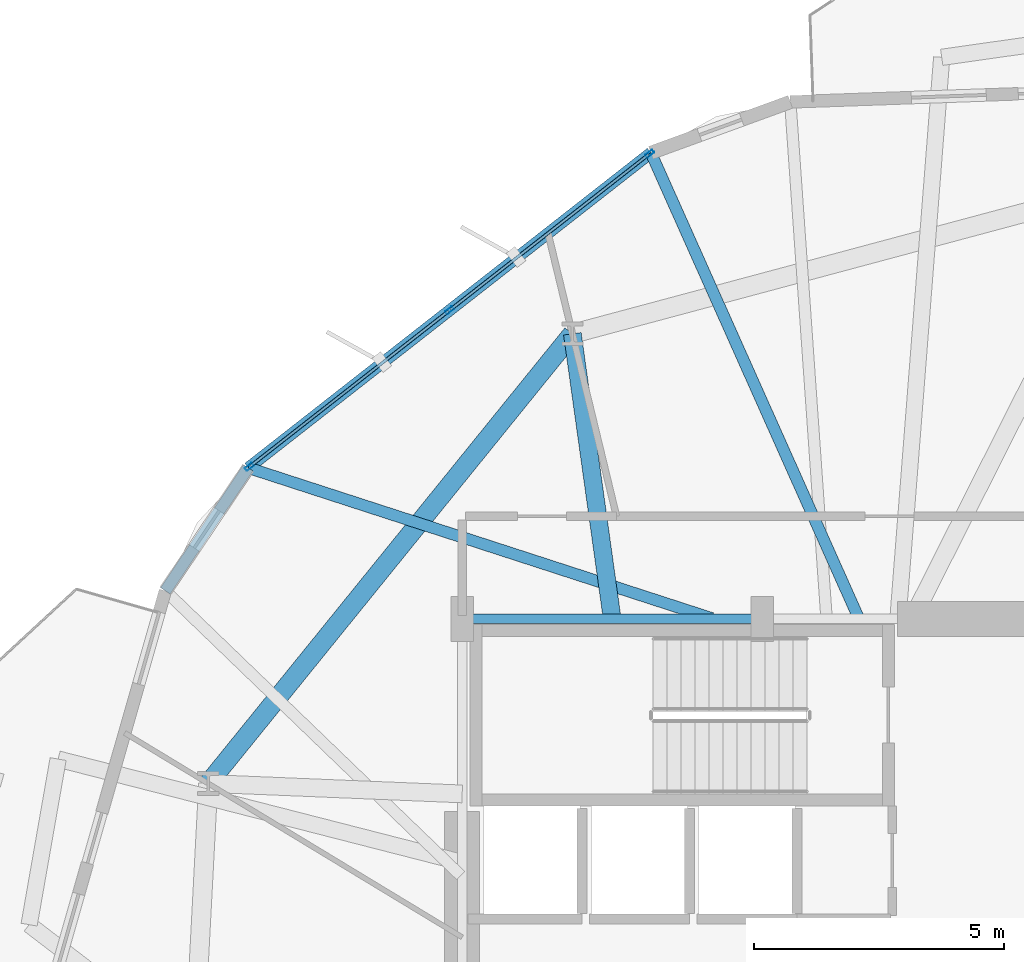
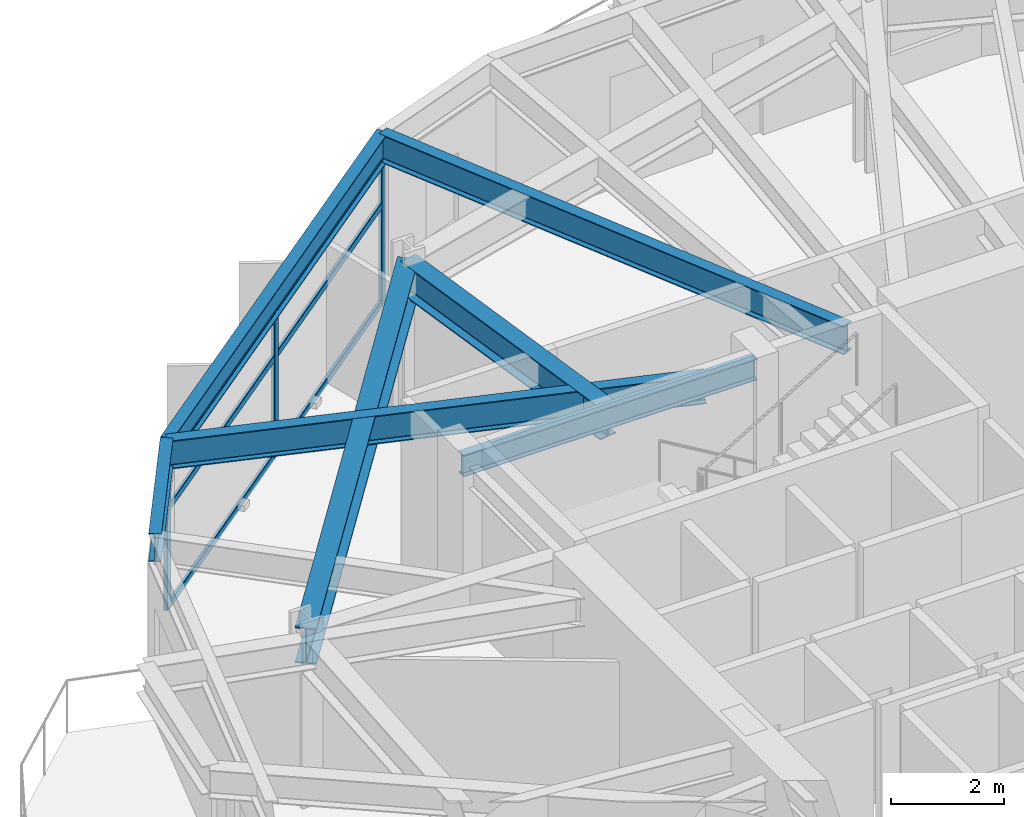
# One storey, part 12 of 21: 9 members, 7 beams, 1 element without a shape of its own.
"""IFC4 building model written with IfcOpenShell, lengths in metres."""

import ifcopenshell
import ifcopenshell.guid

model = None  # the IFC model being written
_history = None  # IfcOwnerHistory: only IFC2X3 demands one
_inside = {}  # id of a spatial element -> (the spatial element, [elements in it])
_under = {}  # id of a project, library or spatial element -> (it, [spatial elements below it])
_declared = {}  # id of a project -> (the project, [libraries it declares])
_typed = {}  # id of a type object -> (the type object, [elements of that type])
_made_of = {}  # id of a material, layer set ... -> (it, [elements and type objects made of it])


def new_model(schema):
    """Start an empty IFC model of exactly this schema.

    Asked for "IFC4X3", IfcOpenShell would pick the latest addendum, in which some entities
    have other attributes; the version numbers below select the first issue.
    IFC2X3 requires an IfcOwnerHistory on every rooted entity: one is made here for all.
    """
    global model, _history
    if schema == "IFC4X3":
        model = ifcopenshell.file(schema_version=(4, 3, 0, 0))
    else:
        model = ifcopenshell.file(schema=schema)
    _inside.clear()
    _under.clear()
    _declared.clear()
    _typed.clear()
    _made_of.clear()
    _history = None
    if model.schema == "IFC2X3":
        org = make("IfcOrganization", Name="unknown")
        user = make(
            "IfcPersonAndOrganization",
            ThePerson=make("IfcPerson", FamilyName="unknown"),
            TheOrganization=org,
        )
        app = make(
            "IfcApplication",
            ApplicationDeveloper=org,
            Version="unknown",
            ApplicationFullName="unknown",
            ApplicationIdentifier="unknown",
        )
        _history = make(
            "IfcOwnerHistory",
            OwningUser=user,
            OwningApplication=app,
            ChangeAction="ADDED",
            CreationDate=0,
        )
    return model


def make(cls, **values):
    """One entity of the class cls with the attributes given. An attribute that is None is left unset."""
    return model.create_entity(
        cls, **{name: value for name, value in values.items() if value is not None}
    )


def rooted(cls, **values):
    """An entity with a GlobalId (a new one), such as an element, a storey or a relation."""
    return make(cls, GlobalId=ifcopenshell.guid.new(), OwnerHistory=_history, **values)


def si_unit(unit_type, name, prefix=None):
    """IfcSIUnit, for example si_unit("LENGTHUNIT", "METRE", prefix="MILLI")."""
    return make("IfcSIUnit", UnitType=unit_type, Prefix=prefix, Name=name)


def assignment(units):
    """IfcUnitAssignment: the units of a project."""
    return None if units is None else make("IfcUnitAssignment", Units=units)


def point(xyz):
    """IfcCartesianPoint."""
    return None if xyz is None else make("IfcCartesianPoint", Coordinates=xyz)


def direction(xyz):
    """IfcDirection."""
    return None if xyz is None else make("IfcDirection", DirectionRatios=xyz)


def frame(location, z_axis=None, x_axis=None):
    """IfcAxis2Placement3D, a coordinate frame: its origin and axes. An axis left out is left unset."""
    return make(
        "IfcAxis2Placement3D",
        Location=point(location),
        Axis=direction(z_axis),
        RefDirection=direction(x_axis),
    )


def frame_2d(location, x_axis=None):
    """IfcAxis2Placement2D, a coordinate frame in the plane: its origin and x axis."""
    return make(
        "IfcAxis2Placement2D", Location=point(location), RefDirection=direction(x_axis)
    )


def origin():
    """The frame at (0, 0, 0) with its axes left unset."""
    return frame((0.0, 0.0, 0.0))


def origin_2d():
    """The frame at (0, 0) in the plane with its x axis left unset."""
    return frame_2d((0.0, 0.0))


def place(relative_to, where):
    """IfcLocalPlacement: puts the frame where relative to a parent placement (None: the world)."""
    return make(
        "IfcLocalPlacement", PlacementRelTo=relative_to, RelativePlacement=where
    )


def context(
    kind, dimensions, precision=None, world=None, true_north=None, identifier=None
):
    """IfcGeometricRepresentationContext, for example the 3D "Model" context."""
    return make(
        "IfcGeometricRepresentationContext",
        ContextIdentifier=identifier,
        ContextType=kind,
        CoordinateSpaceDimension=dimensions,
        Precision=precision,
        WorldCoordinateSystem=world,
        TrueNorth=true_north,
    )


def subcontext(parent, identifier, kind, view, scale=None):
    """IfcGeometricRepresentationSubContext, for example "Body" below "Model"."""
    return make(
        "IfcGeometricRepresentationSubContext",
        ContextIdentifier=identifier,
        ContextType=kind,
        ParentContext=parent,
        TargetScale=scale,
        TargetView=view,
    )


def project(units=None, contexts=None):
    """IfcProject with its units and contexts."""
    return rooted(
        "IfcProject",
        Name="project",
        RepresentationContexts=contexts,
        UnitsInContext=assignment(units),
    )


def spatial(cls, under=None, at=None, **own):
    """A site, building, storey or space (cls), placed at a placement, below another one or the project."""
    s = rooted(cls, ObjectPlacement=at, **own)
    if under is not None:
        _under.setdefault(under.id(), (under, []))[1].append(s)
    return s


def profile(cls, at=None, kind="AREA", **sizes):
    """A parametric profile (cls). Its sizes go by their IFC names, for example OverallWidth=200.0."""
    return make(cls, ProfileType=kind, Position=at, **sizes)


def hollow_rectangle(**sizes):
    """IfcRectangleHollowProfileDef."""
    return profile("IfcRectangleHollowProfileDef", **sizes)


def i_section(**sizes):
    """IfcIShapeProfileDef."""
    return profile("IfcIShapeProfileDef", **sizes)


def extrude(swept, where, along, depth):
    """IfcExtrudedAreaSolid: the profile swept, set in the frame where, extruded along a direction by depth."""
    return make(
        "IfcExtrudedAreaSolid",
        SweptArea=swept,
        Position=where,
        ExtrudedDirection=direction(along),
        Depth=depth,
    )


def shape(context_of_items, identifier, shape_type, items):
    """IfcShapeRepresentation: the items that make up one representation, for example the "Body"."""
    return make(
        "IfcShapeRepresentation",
        ContextOfItems=context_of_items,
        RepresentationIdentifier=identifier,
        RepresentationType=shape_type,
        Items=items,
    )


def material(Name=None, Category=None):
    """IfcMaterial."""
    return make("IfcMaterial", Name=Name, Category=Category)


def layer(
    of_material, thickness, ventilated=None, Name=None, Category=None, Priority=None
):
    """IfcMaterialLayer: one layer of a wall or slab, of a material (None: an air gap)."""
    return make(
        "IfcMaterialLayer",
        Material=of_material,
        LayerThickness=thickness,
        IsVentilated=ventilated,
        Name=Name,
        Category=Category,
        Priority=Priority,
    )


def layer_set(layers, Name=None):
    """IfcMaterialLayerSet."""
    return make("IfcMaterialLayerSet", MaterialLayers=layers, LayerSetName=Name)


def material_profile(
    of_material, cross_section, Name=None, Category=None, Priority=None
):
    """IfcMaterialProfile: a cross section and its material."""
    return make(
        "IfcMaterialProfile",
        Name=Name,
        Material=of_material,
        Profile=cross_section,
        Priority=Priority,
        Category=Category,
    )


def profile_set(profiles, Name=None, composite=None):
    """IfcMaterialProfileSet."""
    return make(
        "IfcMaterialProfileSet",
        Name=Name,
        MaterialProfiles=profiles,
        CompositeProfile=composite,
    )


def made_of(thing, what):
    """Note that an element or type object is made of a material, layer set ...; save() writes the relation."""
    if what is not None:
        _made_of.setdefault(what.id(), (what, []))[1].append(thing)
    return thing


def type_object(cls, material=None, **own):
    """A type object (cls), such as IfcWallType, which elements share."""
    return made_of(rooted(cls, **own), material)


def element(
    cls,
    number,
    at=None,
    inside=None,
    cuts=None,
    type_object=None,
    material=None,
    context=None,
    identifier="Body",
    shape_type=None,
    held_by="IfcProductDefinitionShape",
    body=None,
    shapes=None,
    **own,
):
    """One element of the class cls, such as IfcWall. Its Tag is "e" and its number.

    at: its placement. inside: the storey or other place that contains it. cuts: it is an
    opening in that element (IfcRelVoidsElement). A single representation is given by context,
    identifier, shape_type and body (its items); several are given by shapes. held_by: the class
    of the entity that holds the representations. save() writes the other relations.
    """
    e = rooted(cls, Tag="e%d" % number, ObjectPlacement=at, **own)
    if body is not None:
        shapes = [shape(context, identifier, shape_type, body)]
    if shapes is not None:
        e.Representation = make(held_by, Representations=shapes)
    if inside is not None:
        _inside.setdefault(inside.id(), (inside, []))[1].append(e)
    if cuts is not None:
        rooted(
            "IfcRelVoidsElement", RelatingBuildingElement=cuts, RelatedOpeningElement=e
        )
    if type_object is not None:
        _typed.setdefault(type_object.id(), (type_object, []))[1].append(e)
    return made_of(e, material)


def aggregate(whole, parts):
    """IfcRelAggregates: a whole, such as a stair, and the parts it consists of."""
    return rooted("IfcRelAggregates", RelatingObject=whole, RelatedObjects=parts)


def save(model, path):
    """Write the relations noted so far, then the file.

    IfcRelAggregates (storeys below a building ...), IfcRelContainedInSpatialStructure (elements
    in a storey), IfcRelDefinesByType, IfcRelAssociatesMaterial and IfcRelDeclares: one each for
    every whole, place, type object, material and project.
    """
    for whole, parts in _under.values():
        aggregate(whole, parts)
    for where, things in _inside.values():
        rooted(
            "IfcRelContainedInSpatialStructure",
            RelatedElements=things,
            RelatingStructure=where,
        )
    for kind, things in _typed.values():
        rooted("IfcRelDefinesByType", RelatedObjects=things, RelatingType=kind)
    for what, things in _made_of.values():
        rooted("IfcRelAssociatesMaterial", RelatedObjects=things, RelatingMaterial=what)
    for by, libraries in _declared.values():
        rooted("IfcRelDeclares", RelatingContext=by, RelatedDefinitions=libraries)
    model.write(path)


model = new_model("IFC4")

# Units and contexts
model_context = context("Model", 3, precision=1e-05, world=origin(), true_north=direction((0.0, 1.0)))
body_context = subcontext(model_context, "Body", "Model", "MODEL_VIEW")
ifc_project = project(units=[si_unit("LENGTHUNIT", "METRE"), si_unit("AREAUNIT", "SQUARE_METRE"), si_unit("VOLUMEUNIT", "CUBIC_METRE"), si_unit("PLANEANGLEUNIT", "RADIAN"), si_unit("MASSUNIT", "GRAM", prefix="KILO")], contexts=[model_context])

# Site, building, storey
site_placement = place(None, origin())
site = spatial("IfcSite", under=ifc_project, at=site_placement, CompositionType="ELEMENT")
building_placement = place(site_placement, origin())
building = spatial("IfcBuilding", under=site, at=building_placement, Name="Soratama Intermodal Tower", CompositionType="ELEMENT")
storey_placement = place(building_placement, frame((0.0, 0.0, 34.60009765625)))
storey = spatial("IfcBuildingStorey", under=building, at=storey_placement, Name="L07", CompositionType="ELEMENT", Elevation=34.60009765625)

# Beams
ifc_material_1 = material(Name="Structural steel ASTM A992 Grade 50", Category="steel")
ifc_material_profile_1 = material_profile(ifc_material_1, i_section(OverallWidth=0.19091796875, OverallDepth=0.4599609375, WebThickness=0.010009765625, FlangeThickness=0.01611328125, FilletRadius=0.010986328125, at=origin_2d()), Name="W18X55")
ifc_profile_set_1 = profile_set([ifc_material_profile_1], Name="Structural steel ASTM A992 Grade 50")
beam_type_1 = type_object("IfcBeamType", Name="BM-FLR-W18X55", PredefinedType="BEAM", material=ifc_profile_set_1)
beam_1_placement = place(storey_placement, frame((38.60009765625, 35.0, 3.469970703125), z_axis=(-1.0, 0.0, 0.0), x_axis=(0.0, -1.0, 0.0)))
element("IfcBeam", 1, at=beam_1_placement, inside=storey, type_object=beam_type_1, Name="BM-L07-CRING-07", PredefinedType="BEAM", context=body_context, shape_type="SweptSolid", body=[
    extrude(i_section(OverallWidth=0.19091796875, OverallDepth=0.4599609375, WebThickness=0.010009765625, FlangeThickness=0.01611328125, FilletRadius=0.010986328125, at=origin_2d()), origin(), (0.0, 0.0, 1.0), 6.0),
])
ifc_material_2 = material(Name="Structural steel ASTM A992 Grade 50", Category="steel")
ifc_material_profile_2 = material_profile(ifc_material_2, i_section(OverallWidth=0.35498046875, OverallDepth=0.695068359375, WebThickness=0.015380859375, FlangeThickness=0.02490234375, FilletRadius=0.01611328125, at=origin_2d()), Name="W27X146")
ifc_profile_set_2 = profile_set([ifc_material_profile_2], Name="Structural steel ASTM A992 Grade 50")
beam_type_2 = type_object("IfcBeamType", Name="BM-RING-W27X146", PredefinedType="BEAM", material=ifc_profile_set_2)
beam_2_placement = place(storey_placement, frame((35.60009765625, 35.0, 3.352294921875), z_axis=(-0.138332473065, 0.990385847484, 0.0), x_axis=(-0.990385847484, -0.138332473065, 0.0)))
element("IfcBeam", 2, at=beam_2_placement, inside=storey, type_object=beam_type_2, Name="BM-L07-RAD-04", PredefinedType="BEAM", context=body_context, shape_type="SweptSolid", body=[
    extrude(i_section(OverallWidth=0.35498046875, OverallDepth=0.695068359375, WebThickness=0.015380859375, FlangeThickness=0.02490234375, FilletRadius=0.01611328125, at=origin_2d()), origin(), (0.0, 0.0, 1.0), 5.75537109375),
])
ifc_material_3 = material(Name="Structural steel ASTM A992 Grade 50", Category="steel")
ifc_material_profile_3 = material_profile(ifc_material_3, i_section(OverallWidth=0.382080078125, OverallDepth=0.779052734375, WebThickness=0.01806640625, FlangeThickness=0.030029296875, FilletRadius=0.01806640625, at=origin_2d()), Name="W30X191")
ifc_profile_set_3 = profile_set([ifc_material_profile_3], Name="Structural steel ASTM A992 Grade 50")
beam_type_3 = type_object("IfcBeamType", Name="BM-RING-W30X191", PredefinedType="BEAM", material=ifc_profile_set_3)
beam_3_placement = place(storey_placement, frame((34.803955078125, 40.699951171875, 3.310302734375), z_axis=(-0.629334198857, -0.777134779912, 0.0), x_axis=(0.777134779912, -0.629334198857, 0.0)))
element("IfcBeam", 3, at=beam_3_placement, inside=storey, type_object=beam_type_3, Name="BM-L07-RING-04", PredefinedType="BEAM", context=body_context, shape_type="SweptSolid", body=[
    extrude(i_section(OverallWidth=0.382080078125, OverallDepth=0.779052734375, WebThickness=0.01806640625, FlangeThickness=0.030029296875, FilletRadius=0.01806640625, at=origin_2d()), origin(), (0.0, 0.0, 1.0), 11.5693359375),
])
ifc_material_4 = material(Name="Structural steel ASTM A992 Grade 50", Category="steel")
ifc_material_profile_4 = material_profile(ifc_material_4, i_section(OverallWidth=0.22900390625, OverallDepth=0.612060546875, WebThickness=0.011962890625, FlangeThickness=0.01953125, FilletRadius=0.012939453125, at=origin_2d()), Name="W24X84")
ifc_profile_set_4 = profile_set([ifc_material_profile_4], Name="Structural steel ASTM A992 Grade 50")
beam_type_4 = type_object("IfcBeamType", Name="BM-SPN-W24X84", PredefinedType="SPANDREL", material=ifc_profile_set_4)
beam_4_placement = place(storey_placement, frame((36.3740234375, 44.320068359375, 3.393798828125), z_axis=(-0.78754077996, -0.616262541373, 0.0), x_axis=(0.616262541373, -0.78754077996, 0.0)))
element("IfcBeam", 4, at=beam_4_placement, inside=storey, type_object=beam_type_4, Name="BS-L07-F04", PredefinedType="SPANDREL", context=body_context, shape_type="SweptSolid", body=[
    extrude(i_section(OverallWidth=0.22900390625, OverallDepth=0.612060546875, WebThickness=0.011962890625, FlangeThickness=0.01953125, FilletRadius=0.012939453125, at=origin_2d()), origin(), (0.0, 0.0, 1.0), 10.222900390625),
])
beam_5_placement = place(storey_placement, frame((28.322998046875, 38.02001953125, 3.393798828125), z_axis=(-0.558890371556, -0.829241552614, 0.0), x_axis=(0.829241552614, -0.558890371556, 0.0)))
element("IfcBeam", 5, at=beam_5_placement, inside=storey, type_object=beam_type_4, Name="BS-L07-CRN04", PredefinedType="SPANDREL", context=body_context, shape_type="SweptSolid", body=[
    extrude(i_section(OverallWidth=0.22900390625, OverallDepth=0.612060546875, WebThickness=0.011962890625, FlangeThickness=0.01953125, FilletRadius=0.012939453125, at=origin_2d()), origin(), (0.0, 0.0, 1.0), 2.966552734375),
])
ifc_material_5 = material(Name="Structural steel ASTM A992 Grade 50", Category="steel")
ifc_material_profile_5 = material_profile(ifc_material_5, i_section(OverallWidth=0.22900390625, OverallDepth=0.612060546875, WebThickness=0.011962890625, FlangeThickness=0.01953125, FilletRadius=0.012939453125, at=origin_2d()), Name="W24X84")
ifc_profile_set_5 = profile_set([ifc_material_profile_5], Name="Structural steel ASTM A992 Grade 50")
beam_type_5 = type_object("IfcBeamType", Name="BM-TIE-W24X84", PredefinedType="BEAM", material=ifc_profile_set_5)
beam_6_placement = place(storey_placement, frame((40.51904296875, 35.037109375, 3.393798828125), z_axis=(-0.407719850052, 0.913107071418, 0.0), x_axis=(-0.913107071418, -0.407719850052, 0.0)))
element("IfcBeam", 6, at=beam_6_placement, inside=storey, type_object=beam_type_5, Name="BM-L07-TIE0-04", PredefinedType="BEAM", context=body_context, shape_type="SweptSolid", body=[
    extrude(i_section(OverallWidth=0.22900390625, OverallDepth=0.612060546875, WebThickness=0.011962890625, FlangeThickness=0.01953125, FilletRadius=0.012939453125, at=origin_2d()), origin(), (0.0, 0.0, 1.0), 10.166259765625),
])
beam_7_placement = place(storey_placement, frame((37.592041015625, 35.011962890625, 3.393798828125), z_axis=(-0.95116617264, 0.308679302879, 0.0), x_axis=(-0.308679302879, -0.95116617264, 0.0)))
element("IfcBeam", 7, at=beam_7_placement, inside=storey, type_object=beam_type_5, Name="BM-L07-TIE1-04", PredefinedType="BEAM", context=body_context, shape_type="SweptSolid", body=[
    extrude(i_section(OverallWidth=0.22900390625, OverallDepth=0.612060546875, WebThickness=0.011962890625, FlangeThickness=0.01953125, FilletRadius=0.012939453125, at=origin_2d()), origin(), (0.0, 0.0, 1.0), 9.744873046875),
])

# Curtain wall, members
ifc_material_6 = material(Name="Double-glazed aluminium curtain wall", Category="aluminium")
ifc_layer = layer(ifc_material_6, 0.159912109375)
ifc_layer_set = layer_set([ifc_layer], Name="Double-glazed aluminium curtain wall")
curtain_wall_type = type_object("IfcCurtainWallType", Name="CW-SYS-2", PredefinedType="NOTDEFINED", material=ifc_layer_set)
curtain_wall_placement = place(storey_placement, origin())
curtain_wall = element("IfcCurtainWall", 8, at=curtain_wall_placement, inside=storey, type_object=curtain_wall_type, Name="L07 Faceted Curtain Wall F04", PredefinedType="NOTDEFINED")
ifc_material_7 = material(Name="Anodised aluminium AA 6063-T6", Category="aluminium")
ifc_material_profile_6 = material_profile(ifc_material_7, hollow_rectangle(XDim=0.074951171875, YDim=0.179931640625, WallThickness=0.006103515625, InnerFilletRadius=0.006103515625, OuterFilletRadius=0.011962890625, at=origin_2d()), Name="CWM180X75X6")
ifc_profile_set_6 = profile_set([ifc_material_profile_6], Name="Anodised aluminium AA 6063-T6")
member_type_1 = type_object("IfcMemberType", Name="MT-CWM-2", PredefinedType="MULLION", material=ifc_profile_set_6)
member_1_placement = place(storey_placement, frame((36.350341796875, 44.301513671875, 0.0), z_axis=(0.0, 0.0, 1.0), x_axis=(0.616217526023, -0.787576003076, 0.0)))
member_1 = element("IfcMember", 9, at=member_1_placement, type_object=member_type_1, Name="CW-2 mullion 1", PredefinedType="MULLION", context=body_context, shape_type="SweptSolid", body=[
    extrude(hollow_rectangle(XDim=0.074951171875, YDim=0.179931640625, WallThickness=0.006103515625, InnerFilletRadius=0.006103515625, OuterFilletRadius=0.011962890625, at=origin_2d()), origin(), (0.0, 0.0, 1.0), 3.078857421875),
])
member_2_placement = place(storey_placement, frame((32.34814453125, 41.17041015625, 0.0), z_axis=(0.0, 0.0, 1.0), x_axis=(0.616217526023, -0.787576003076, 0.0)))
member_2 = element("IfcMember", 10, at=member_2_placement, type_object=member_type_1, Name="CW-2 mullion 2", PredefinedType="MULLION", context=body_context, shape_type="SweptSolid", body=[
    extrude(hollow_rectangle(XDim=0.074951171875, YDim=0.179931640625, WallThickness=0.006103515625, InnerFilletRadius=0.006103515625, OuterFilletRadius=0.011962890625, at=origin_2d()), origin(), (0.0, 0.0, 1.0), 3.078857421875),
])
member_3_placement = place(storey_placement, frame((28.34619140625, 38.0390625, 0.0), z_axis=(0.0, 0.0, 1.0), x_axis=(0.616217526023, -0.787576003076, 0.0)))
member_3 = element("IfcMember", 11, at=member_3_placement, type_object=member_type_1, Name="CW-2 mullion 3", PredefinedType="MULLION", context=body_context, shape_type="SweptSolid", body=[
    extrude(hollow_rectangle(XDim=0.074951171875, YDim=0.179931640625, WallThickness=0.006103515625, InnerFilletRadius=0.006103515625, OuterFilletRadius=0.011962890625, at=origin_2d()), origin(), (0.0, 0.0, 1.0), 3.078857421875),
])
ifc_material_8 = material(Name="Anodised aluminium AA 6063-T6", Category="aluminium")
ifc_material_profile_7 = material_profile(ifc_material_8, hollow_rectangle(XDim=0.06494140625, YDim=0.14990234375, WallThickness=0.0048828125, InnerFilletRadius=0.0048828125, OuterFilletRadius=0.010009765625, at=origin_2d()), Name="CWT150X65X5")
ifc_profile_set_7 = profile_set([ifc_material_profile_7], Name="Anodised aluminium AA 6063-T6")
member_type_2 = type_object("IfcMemberType", Name="TT-CWT-1", PredefinedType="USERDEFINED", material=ifc_profile_set_7)
member_4_placement = place(storey_placement, frame((36.32666015625, 44.283203125, 0.02978515625), z_axis=(-0.787563475891, -0.616233536448, 0.0), x_axis=(0.616233536448, -0.787563475891, 0.0)))
member_4 = element("IfcMember", 12, at=member_4_placement, type_object=member_type_2, Name="CW-2 transom 1.1", ObjectType="TRANSOM", PredefinedType="USERDEFINED", context=body_context, shape_type="SweptSolid", body=[
    extrude(hollow_rectangle(XDim=0.06494140625, YDim=0.14990234375, WallThickness=0.0048828125, InnerFilletRadius=0.0048828125, OuterFilletRadius=0.010009765625, at=origin_2d()), origin(), (0.0, 0.0, 1.0), 5.021728515625),
])
member_5_placement = place(storey_placement, frame((36.32666015625, 44.283203125, 2.14990234375), z_axis=(-0.787563475891, -0.616233536448, 0.0), x_axis=(0.616233536448, -0.787563475891, 0.0)))
member_5 = element("IfcMember", 13, at=member_5_placement, type_object=member_type_2, Name="CW-2 transom 1.2", ObjectType="TRANSOM", PredefinedType="USERDEFINED", context=body_context, shape_type="SweptSolid", body=[
    extrude(hollow_rectangle(XDim=0.06494140625, YDim=0.14990234375, WallThickness=0.0048828125, InnerFilletRadius=0.0048828125, OuterFilletRadius=0.010009765625, at=origin_2d()), origin(), (0.0, 0.0, 1.0), 5.021728515625),
])
member_6_placement = place(storey_placement, frame((36.32666015625, 44.283203125, 3.048828125), z_axis=(-0.787563475891, -0.616233536448, 0.0), x_axis=(0.616233536448, -0.787563475891, 0.0)))
member_6 = element("IfcMember", 14, at=member_6_placement, type_object=member_type_2, Name="CW-2 transom 1.3", ObjectType="TRANSOM", PredefinedType="USERDEFINED", context=body_context, shape_type="SweptSolid", body=[
    extrude(hollow_rectangle(XDim=0.06494140625, YDim=0.14990234375, WallThickness=0.0048828125, InnerFilletRadius=0.0048828125, OuterFilletRadius=0.010009765625, at=origin_2d()), origin(), (0.0, 0.0, 1.0), 5.021728515625),
])
member_7_placement = place(storey_placement, frame((32.324462890625, 41.15185546875, 0.02978515625), z_axis=(-0.787545012436, -0.616257132524, 0.0), x_axis=(0.616257132524, -0.787545012436, 0.0)))
member_7 = element("IfcMember", 15, at=member_7_placement, type_object=member_type_2, Name="CW-2 transom 2.1", ObjectType="TRANSOM", PredefinedType="USERDEFINED", context=body_context, shape_type="SweptSolid", body=[
    extrude(hollow_rectangle(XDim=0.06494140625, YDim=0.14990234375, WallThickness=0.0048828125, InnerFilletRadius=0.0048828125, OuterFilletRadius=0.010009765625, at=origin_2d()), origin(), (0.0, 0.0, 1.0), 5.021484375),
])
member_8_placement = place(storey_placement, frame((32.324462890625, 41.15185546875, 2.14990234375), z_axis=(-0.787545012436, -0.616257132524, 0.0), x_axis=(0.616257132524, -0.787545012436, 0.0)))
member_8 = element("IfcMember", 16, at=member_8_placement, type_object=member_type_2, Name="CW-2 transom 2.2", ObjectType="TRANSOM", PredefinedType="USERDEFINED", context=body_context, shape_type="SweptSolid", body=[
    extrude(hollow_rectangle(XDim=0.06494140625, YDim=0.14990234375, WallThickness=0.0048828125, InnerFilletRadius=0.0048828125, OuterFilletRadius=0.010009765625, at=origin_2d()), origin(), (0.0, 0.0, 1.0), 5.021484375),
])
member_9_placement = place(storey_placement, frame((32.324462890625, 41.15185546875, 3.048828125), z_axis=(-0.787545012436, -0.616257132524, 0.0), x_axis=(0.616257132524, -0.787545012436, 0.0)))
member_9 = element("IfcMember", 17, at=member_9_placement, type_object=member_type_2, Name="CW-2 transom 2.3", ObjectType="TRANSOM", PredefinedType="USERDEFINED", context=body_context, shape_type="SweptSolid", body=[
    extrude(hollow_rectangle(XDim=0.06494140625, YDim=0.14990234375, WallThickness=0.0048828125, InnerFilletRadius=0.0048828125, OuterFilletRadius=0.010009765625, at=origin_2d()), origin(), (0.0, 0.0, 1.0), 5.021484375),
])
aggregate(curtain_wall, [member_1, member_2, member_3, member_4, member_5, member_6, member_7, member_8, member_9])

save(model, "model.ifc")
